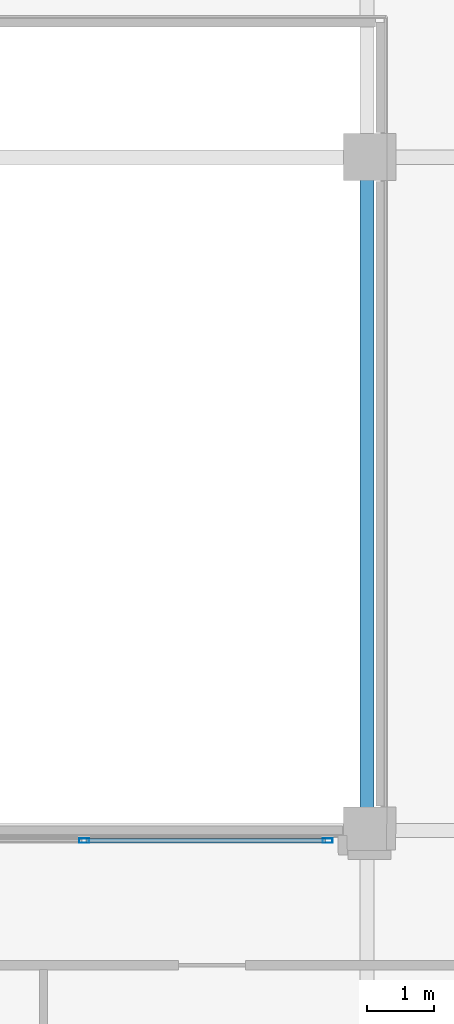
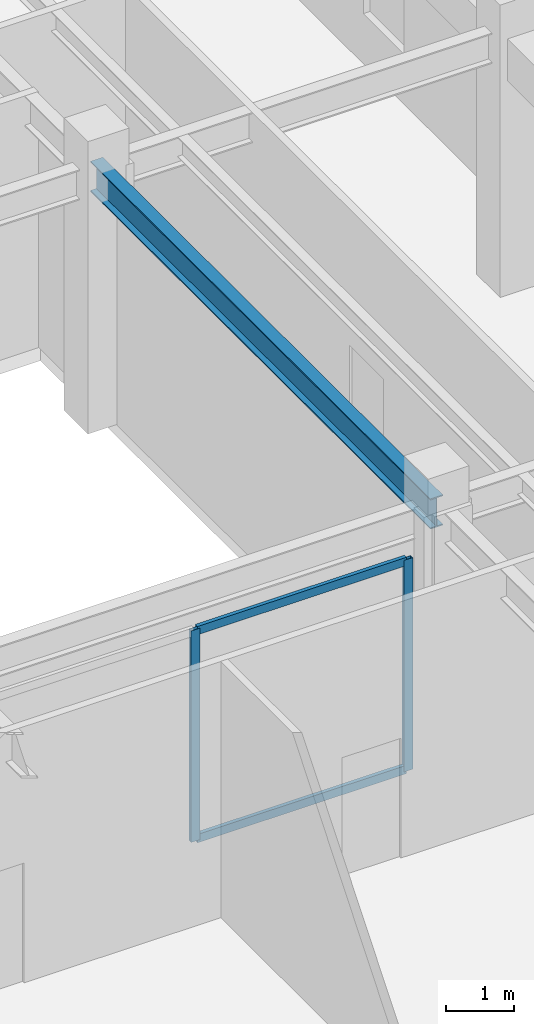
# One storey, part 15 of 25: 4 members, 1 beam, 1 element without a shape of its own.
"""IFC4 building model written with IfcOpenShell, lengths in metres."""

from ifc_helpers import new_model, si_unit, direction, frame, origin, origin_2d, place, context, subcontext, project, spatial, hollow_rectangle, i_section, extrude, source, transform, mapped, material, layer, layer_set, material_profile, profile_set, type_object, type_shapes, element, aggregate, save


model = new_model("IFC4")

# Units and contexts
model_context = context("Model", 3, precision=1e-05, world=origin(), true_north=direction((0.0, 1.0)))
body_context = subcontext(model_context, "Body", "Model", "MODEL_VIEW")
ifc_project = project(units=[si_unit("LENGTHUNIT", "METRE"), si_unit("AREAUNIT", "SQUARE_METRE"), si_unit("VOLUMEUNIT", "CUBIC_METRE"), si_unit("PLANEANGLEUNIT", "RADIAN"), si_unit("MASSUNIT", "GRAM", prefix="KILO")], contexts=[model_context])

# Site, building, storey
site_placement = place(None, origin())
site = spatial("IfcSite", under=ifc_project, at=site_placement, CompositionType="ELEMENT")
building_placement = place(site_placement, origin())
building = spatial("IfcBuilding", under=site, at=building_placement, Name="Talar Marvaseh", CompositionType="ELEMENT")
storey_placement = place(building_placement, frame((0.0, 0.0, 14.39990234375)))
storey = spatial("IfcBuildingStorey", under=building, at=storey_placement, Name="L03", CompositionType="ELEMENT", Elevation=14.39990234375)

# Beam
ifc_material_1 = material(Name="Steel S355", Category="steel")
ifc_material_profile_1 = material_profile(ifc_material_1, i_section(OverallWidth=0.2119140625, OverallDepth=0.5439453125, WebThickness=0.01318359375, FlangeThickness=0.021240234375, at=origin_2d()), Name="W530x123")
ifc_profile_set_1 = profile_set([ifc_material_profile_1], Name="Steel S355")
beam_type = type_object("IfcBeamType", Name="Market Hall Primary Girder W530x123", PredefinedType="BEAM", material=ifc_profile_set_1)
beam_placement = place(storey_placement, frame((70.800048828125, 26.0, 4.328125), z_axis=(0.0, 1.0, 0.0), x_axis=(-1.0, 0.0, 0.0)))
element("IfcBeam", 1, at=beam_placement, inside=storey, type_object=beam_type, Name="L03 Market Hall Primary Girder W530x123", PredefinedType="BEAM", context=body_context, shape_type="SweptSolid", body=[
    extrude(i_section(OverallWidth=0.2119140625, OverallDepth=0.5439453125, WebThickness=0.01318359375, FlangeThickness=0.021240234375, at=origin_2d()), origin(), (0.0, 0.0, 1.0), 10.0),
])

# Curtain wall, members
ifc_material_2 = material(Name="Architectural Aluminium", Category="aluminium")
ifc_layer = layer(ifc_material_2, 0.169921875)
ifc_layer_set = layer_set([ifc_layer], Name="Architectural Aluminium")
curtain_wall_type = type_object("IfcCurtainWallType", Name="Market Hall Clerestory and Courtyard Curtain Wall", PredefinedType="NOTDEFINED", material=ifc_layer_set)
curtain_wall_placement = place(storey_placement, origin())
curtain_wall = element("IfcCurtainWall", 2, at=curtain_wall_placement, inside=storey, type_object=curtain_wall_type, Name="L03 Market Hall Clerestory and Courtyard Curtain Wall", PredefinedType="NOTDEFINED")
ifc_material_profile_2 = material_profile(ifc_material_2, hollow_rectangle(XDim=0.06494140625, YDim=0.14990234375, WallThickness=0.00390625, at=origin_2d()), Name="RHS150x65x4")
ifc_profile_set_2 = profile_set([ifc_material_profile_2], Name="Architectural Aluminium")
member_type_1 = type_object("IfcMemberType", Name="Unitised Curtain Wall Slim Mullion RHS150x65x4", PredefinedType="MULLION", material=ifc_profile_set_2)
shared_shape_1 = source(origin(), body_context, "Body", "SweptSolid", [
    extrude(hollow_rectangle(XDim=0.06494140625, YDim=0.14990234375, WallThickness=0.00390625, at=origin_2d()), origin(), (0.0, 0.0, 1.0), 3.800048828125),
])
type_shapes(member_type_1, [shared_shape_1])
member_1_placement = place(storey_placement, frame((66.60009765625, 25.85009765625, 0.0), z_axis=(0.0, 0.0, 1.0), x_axis=(0.0, 1.0, 0.0)))
member_1 = element("IfcMember", 3, at=member_1_placement, type_object=member_type_1, Name="CW-MKT mullion 2", PredefinedType="MULLION", context=body_context, shape_type="MappedRepresentation", body=[
    mapped(shared_shape_1, transform((0.0, 0.0, 0.0), x_axis=(1.0, 0.0, 0.0), y_axis=(0.0, 1.0, 0.0), z_axis=(0.0, 0.0, 1.0), scale=1.0)),
])
member_2_placement = place(storey_placement, frame((70.217529296875, 25.85009765625, 0.0), z_axis=(0.0, 0.0, 1.0), x_axis=(0.0, 1.0, 0.0)))
member_2 = element("IfcMember", 4, at=member_2_placement, type_object=member_type_1, Name="CW-MKT mullion 3", PredefinedType="MULLION", context=body_context, shape_type="MappedRepresentation", body=[
    mapped(shared_shape_1, transform((0.0, 0.0, 0.0), x_axis=(1.0, 0.0, 0.0), y_axis=(0.0, 1.0, 0.0), z_axis=(0.0, 0.0, 1.0), scale=1.0)),
])
ifc_material_profile_3 = material_profile(ifc_material_2, hollow_rectangle(XDim=0.06494140625, YDim=0.14990234375, WallThickness=0.00390625, at=origin_2d()), Name="RHS150x65x4")
ifc_profile_set_3 = profile_set([ifc_material_profile_3], Name="Architectural Aluminium")
member_type_2 = type_object("IfcMemberType", Name="Unitised Curtain Wall Slim Transom RHS150x65x4", PredefinedType="USERDEFINED", material=ifc_profile_set_3)
shared_shape_2 = source(origin(), body_context, "Body", "SweptSolid", [
    extrude(hollow_rectangle(XDim=0.06494140625, YDim=0.14990234375, WallThickness=0.00390625, at=origin_2d()), origin(), (0.0, 0.0, 1.0), 3.552490234375),
])
type_shapes(member_type_2, [shared_shape_2])
member_3_placement = place(storey_placement, frame((66.632568359375, 25.85009765625, 0.03271484375), z_axis=(1.0, 0.0, 0.0), x_axis=(0.0, 1.0, 0.0)))
member_3 = element("IfcMember", 5, at=member_3_placement, type_object=member_type_2, Name="CW-MKT transom 2.1", ObjectType="TRANSOM", PredefinedType="USERDEFINED", context=body_context, shape_type="MappedRepresentation", body=[
    mapped(shared_shape_2, transform((0.0, 0.0, 0.0), x_axis=(1.0, 0.0, 0.0), y_axis=(0.0, 1.0, 0.0), z_axis=(0.0, 0.0, 1.0), scale=1.0)),
])
member_4_placement = place(storey_placement, frame((66.632568359375, 25.85009765625, 3.767578125), z_axis=(1.0, 0.0, 0.0), x_axis=(0.0, 1.0, 0.0)))
member_4 = element("IfcMember", 6, at=member_4_placement, type_object=member_type_2, Name="CW-MKT transom 2.2", ObjectType="TRANSOM", PredefinedType="USERDEFINED", context=body_context, shape_type="MappedRepresentation", body=[
    mapped(shared_shape_2, transform((0.0, 0.0, 0.0), x_axis=(1.0, 0.0, 0.0), y_axis=(0.0, 1.0, 0.0), z_axis=(0.0, 0.0, 1.0), scale=1.0)),
])
aggregate(curtain_wall, [member_1, member_2, member_3, member_4])

save(model, "model.ifc")
